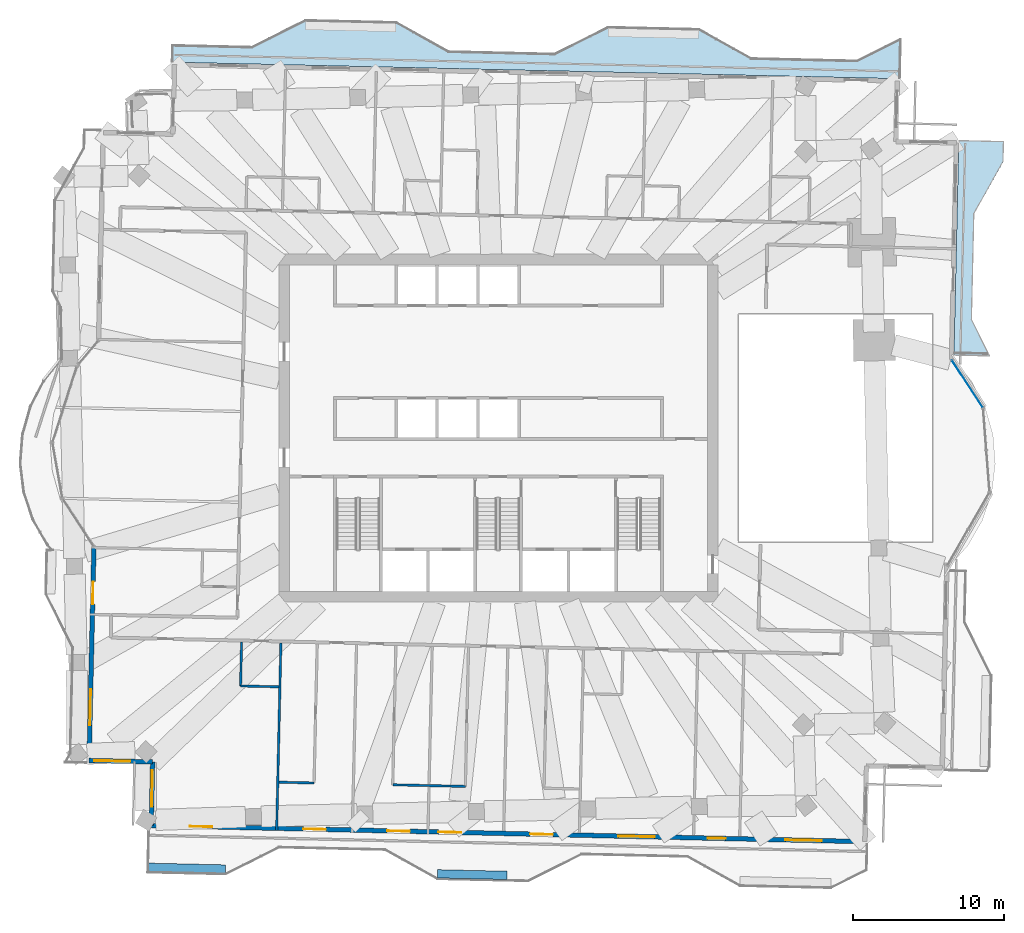
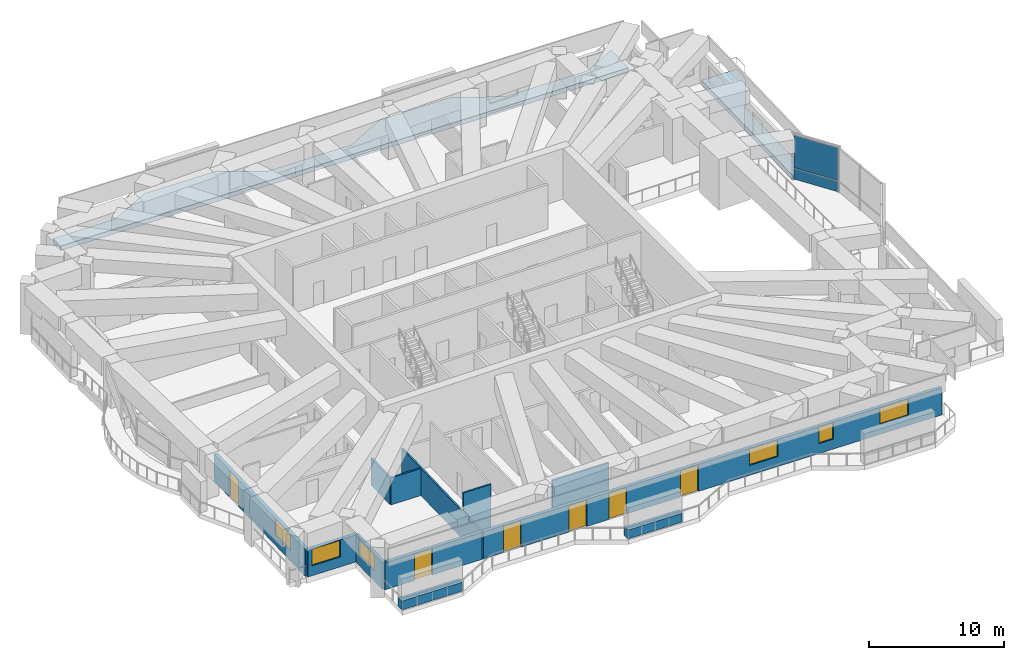
# One storey, part 9 of 20: 11 walls, 6 doors, 6 windows, 2 plates, 2 slabs, 12 openings, 1 element without a shape of its own.
"""IFC4 building model written with IfcOpenShell, lengths in metres."""

from ifc_helpers import new_model, si_unit, direction, frame, frame_2d, origin, origin_2d, place, context, subcontext, project, spatial, polyline, rectangle, outline, extrude, material, layer, layer_set, type_object, element, fill, aggregate, save


model = new_model("IFC4")

# Units and contexts
model_context = context("Model", 3, precision=1e-05, world=origin(), true_north=direction((0.0, 1.0)))
body_context = subcontext(model_context, "Body", "Model", "MODEL_VIEW")
ifc_project = project(units=[si_unit("LENGTHUNIT", "METRE"), si_unit("AREAUNIT", "SQUARE_METRE"), si_unit("VOLUMEUNIT", "CUBIC_METRE"), si_unit("PLANEANGLEUNIT", "RADIAN"), si_unit("MASSUNIT", "GRAM", prefix="KILO")], contexts=[model_context])

# Site, building, storey
site_placement = place(None, origin())
site = spatial("IfcSite", under=ifc_project, at=site_placement, CompositionType="ELEMENT")
building_placement = place(site_placement, origin())
building = spatial("IfcBuilding", under=site, at=building_placement, Name="Mangrove Gate Tower", CompositionType="ELEMENT")
storey_placement = place(building_placement, frame((0.0, 0.0, 252.699951171875)))
storey = spatial("IfcBuildingStorey", under=building, at=storey_placement, Name="L64", CompositionType="ELEMENT", Elevation=252.699951171875)

# Slabs
ifc_material_1 = material(Name="Porcelain tile")
ifc_layer_1 = layer(ifc_material_1, 0.02001953125, Name="Tile finish")
ifc_material_2 = material(Name="Cement sand screed")
ifc_layer_2 = layer(ifc_material_2, 0.0400390625, Name="Screed laid to falls")
ifc_material_3 = material(Name="Bituminous waterproofing membrane")
ifc_layer_3 = layer(ifc_material_3, 0.00390625, Name="Waterproofing")
ifc_material_4 = material(Name="Concrete C40/50", Category="concrete")
ifc_layer_4 = layer(ifc_material_4, 0.340087890625, Name="Balcony structural slab")
ifc_material_5 = material(Name="Limestone", Category="masonry")
ifc_layer_5 = layer(ifc_material_5, 0.01611328125, Name="Soffit lining")
ifc_layer_set_1 = layer_set([ifc_layer_1, ifc_layer_2, ifc_layer_3, ifc_layer_4, ifc_layer_5], Name="Balcony slab 420 C40/50")
slab_type = type_object("IfcSlabType", Name="Balcony slab 420 C40/50", PredefinedType="FLOOR", material=ifc_layer_set_1)
slab_1_placement = place(storey_placement, frame((0.0, 0.0, -0.419921875)))
element("IfcSlab", 1, at=slab_1_placement, inside=storey, type_object=slab_type, Name="BALCONY L64 E1", PredefinedType="FLOOR", context=body_context, shape_type="SweptSolid", body=[
    extrude(outline(polyline([(32.485107421875, 4.77587890625), (31.283935546875, 7.178955078125), (31.443115234375, 14.177001953125), (33.3720703125, 17.634033203125), (33.40087890625, 18.93408203125), (30.412109375, 19.001953125), (30.382080078125, 17.701904296875), (30.302978515625, 14.202880859375), (30.14404296875, 7.205078125), (30.090087890625, 4.8310546875), (32.485107421875, 4.77587890625)])), origin(), (0.0, 0.0, 1.0), 0.419921875),
])
slab_2_placement = place(storey_placement, frame((0.0, 0.0, -0.419921875)))
element("IfcSlab", 2, at=slab_2_placement, inside=storey, type_object=slab_type, Name="BALCONY L64 N0", PredefinedType="FLOOR", context=body_context, shape_type="SweptSolid", body=[
    extrude(outline(polyline([(26.56396484375, 25.72998046875), (23.694091796875, 24.294921875), (16.696044921875, 24.4541015625), (13.239013671875, 26.383056640625), (7.240966796875, 26.51904296875), (3.698974609375, 24.7490234375), (-3.299072265625, 24.907958984375), (-6.756103515625, 26.8369140625), (-12.75390625, 26.972900390625), (-16.294921875, 25.2041015625), (-21.530029296875, 25.322021484375), (-21.555908203125, 24.181884765625), (26.50390625, 23.091064453125), (26.56396484375, 25.72998046875)])), origin(), (0.0, 0.0, 1.0), 0.419921875),
])

# Curtain wall, plates
ifc_material_6 = material(Name="Aluminium and glass curtain wall", Category="aluminium")
curtain_wall_type = type_object("IfcCurtainWallType", Name="Sky-lounge glazing wall", PredefinedType="NOTDEFINED", material=ifc_material_6)
curtain_wall_placement = place(storey_placement, origin())
curtain_wall = element("IfcCurtainWall", 3, at=curtain_wall_placement, inside=storey, type_object=curtain_wall_type, Name="Sky-lounge glazing E1f3", PredefinedType="NOTDEFINED")
ifc_material_7 = material(Name="Laminated low-e glass", Category="glass")
ifc_layer_6 = layer(ifc_material_7, 0.030029296875)
ifc_layer_set_2 = layer_set([ifc_layer_6], Name="Sky-lounge glazing panel 30")
plate_type = type_object("IfcPlateType", Name="Sky-lounge glazing panel 30", PredefinedType="CURTAIN_PANEL", material=ifc_layer_set_2)
plate_1_placement = place(storey_placement, frame((30.975830078125, 2.93115234375, 0.0), z_axis=(0.0, 0.0, 1.0), x_axis=(-0.546235085045, 0.837631919083, 0.0)))
plate_1 = element("IfcPlate", 4, at=plate_1_placement, type_object=plate_type, Name="CWK panel 1.1", PredefinedType="CURTAIN_PANEL", context=body_context, shape_type="SweptSolid", body=[
    extrude(rectangle(XDim=3.696044921875, YDim=0.030029296875, at=origin_2d()), origin(), (0.0, 0.0, 1.0), 0.969970703125),
])
plate_2_placement = place(storey_placement, frame((30.975830078125, 2.93115234375, 1.030029296875), z_axis=(0.0, 0.0, 1.0), x_axis=(-0.546235085045, 0.837631919083, 0.0)))
plate_2 = element("IfcPlate", 5, at=plate_2_placement, type_object=plate_type, Name="CWK panel 1.2", PredefinedType="CURTAIN_PANEL", context=body_context, shape_type="SweptSolid", body=[
    extrude(rectangle(XDim=3.696044921875, YDim=0.030029296875, at=origin_2d()), origin(), (0.0, 0.0, 1.0), 2.9599609375),
])
aggregate(curtain_wall, [plate_1, plate_2])

# Wall, openings, door, window
ifc_layer_7 = layer(ifc_material_5, 0.0400390625, Name="Limestone cladding")
ifc_material_8 = material(Name="Ventilated air gap")
ifc_layer_8 = layer(ifc_material_8, 0.0400390625, Name="Ventilated cavity")
ifc_material_9 = material(Name="Mineral wool insulation")
ifc_layer_9 = layer(ifc_material_9, 0.06005859375, Name="Insulation")
ifc_material_10 = material(Name="Breather membrane")
ifc_layer_10 = layer(ifc_material_10, 0.001953125, Name="Breather membrane")
ifc_material_11 = material(Name="Concrete C20/25 blockwork", Category="masonry")
ifc_layer_11 = layer(ifc_material_11, 0.14990234375, Name="Blockwork backing wall")
ifc_material_12 = material(Name="Gypsum plaster")
ifc_layer_12 = layer(ifc_material_12, 0.008056640625, Name="Internal plaster")
ifc_layer_set_3 = layer_set([ifc_layer_7, ifc_layer_8, ifc_layer_9, ifc_layer_10, ifc_layer_11, ifc_layer_12], Name="External wall 300 limestone cladding")
wall_type_1 = type_object("IfcWallType", Name="External wall 300 limestone cladding", PredefinedType="SOLIDWALL", material=ifc_layer_set_3)
wall_1_placement = place(storey_placement, frame((-26.73291015625, -7.8291015625, 0.0), z_axis=(0.0, 0.0, 1.0), x_axis=(-0.022721405353, -0.999741835545, 0.0)))
wall_1 = element("IfcWall", 6, at=wall_1_placement, inside=storey, type_object=wall_type_1, Name="WALL-L64-W10", PredefinedType="SOLIDWALL", context=body_context, shape_type="SweptSolid", body=[
    extrude(rectangle(XDim=14.129638671875, YDim=0.300048828125, at=frame_2d((7.06494140625, 0.0))), origin(), (0.0, 0.0, 1.0), 2.449951171875),
])
opening_1_placement = place(wall_1_placement, frame((2.301025390625, 0.0, 0.0)))
opening_1 = element("IfcOpeningElement", 7, at=opening_1_placement, cuts=wall_1, Name="Opening BD1", PredefinedType="OPENING", context=body_context, shape_type="SweptSolid", body=[
    extrude(rectangle(XDim=1.5, YDim=2.39990234375, at=frame_2d((0.75, 1.199951171875))), frame((0.0, 0.159912109375, 0.0), z_axis=(0.0, -1.0, 0.0), x_axis=(1.0, 0.0, 0.0)), (0.0, 0.0, 1.0), 0.320068359375),
])
opening_2_placement = place(wall_1_placement, frame((9.4130859375, 0.0, 0.89990234375)))
opening_2 = element("IfcOpeningElement", 8, at=opening_2_placement, cuts=wall_1, Name="Opening W2", PredefinedType="OPENING", context=body_context, shape_type="SweptSolid", body=[
    extrude(rectangle(XDim=2.39990234375, YDim=1.5, at=frame_2d((1.199951171875, 0.75))), frame((0.0, 0.159912109375, 0.0), z_axis=(0.0, -1.0, 0.0), x_axis=(1.0, 0.0, 0.0)), (0.0, 0.0, 1.0), 0.320068359375),
])
ifc_material_13 = material(Name="Aluminium frame with laminated clear glass", Category="aluminium")
door_type = type_object("IfcDoorType", Name="Balcony sliding door 1500x2400", OperationType="SLIDING_TO_LEFT", PredefinedType="DOOR", material=ifc_material_13)
door_1_placement = place(opening_1_placement, origin())
door_1 = element("IfcDoor", 9, at=door_1_placement, inside=storey, type_object=door_type, Name="DOOR-L64-W10-1", OperationType="SLIDING_TO_LEFT", OverallHeight=2.39990234375, OverallWidth=1.5, PredefinedType="DOOR", context=body_context, shape_type="SweptSolid", body=[
    extrude(rectangle(XDim=1.5, YDim=2.39990234375, at=frame_2d((0.75, 1.199951171875))), frame((0.0, 0.02490234375, 0.0), z_axis=(0.0, -1.0, 0.0), x_axis=(1.0, 0.0, 0.0)), (0.0, 0.0, 1.0), 0.050048828125),
])
fill(opening_1, door_1)
ifc_material_14 = material(Name="Aluminium frame with double-glazed low-e glass", Category="aluminium")
window_type_1 = type_object("IfcWindowType", Name="Corner room window 2400x1500", PartitioningType="DOUBLE_PANEL_VERTICAL", PredefinedType="WINDOW", material=ifc_material_14)
window_1_placement = place(opening_2_placement, origin())
window_1 = element("IfcWindow", 10, at=window_1_placement, inside=storey, type_object=window_type_1, Name="WIN-L64-W10-2", OverallHeight=1.5, OverallWidth=2.39990234375, PartitioningType="DOUBLE_PANEL_VERTICAL", PredefinedType="WINDOW", context=body_context, shape_type="SweptSolid", body=[
    extrude(rectangle(XDim=2.39990234375, YDim=1.5, at=frame_2d((1.199951171875, 0.75))), frame((0.0, 0.030029296875, 0.0), z_axis=(0.0, -1.0, 0.0), x_axis=(1.0, 0.0, 0.0)), (0.0, 0.0, 1.0), 0.06005859375),
])
fill(opening_2, window_1)

# Wall, opening, window
wall_2_placement = place(storey_placement, frame((-27.053955078125, -21.955078125, 0.0), z_axis=(0.0, 0.0, 1.0), x_axis=(0.999744320311, -0.022611811187, 0.0)))
wall_2 = element("IfcWall", 11, at=wall_2_placement, inside=storey, type_object=wall_type_1, Name="WALL-L64-S11", PredefinedType="SOLIDWALL", context=body_context, shape_type="SweptSolid", body=[
    extrude(rectangle(XDim=4.199951171875, YDim=0.300048828125, at=frame_2d((2.10009765625, 0.0))), origin(), (0.0, 0.0, 1.0), 2.449951171875),
])
opening_3_placement = place(wall_2_placement, frame((0.3291015625, 0.0, 0.89990234375)))
opening_3 = element("IfcOpeningElement", 12, at=opening_3_placement, cuts=wall_2, Name="Opening W2", PredefinedType="OPENING", context=body_context, shape_type="SweptSolid", body=[
    extrude(rectangle(XDim=2.39990234375, YDim=1.5, at=frame_2d((1.199951171875, 0.75))), frame((0.0, 0.159912109375, 0.0), z_axis=(0.0, -1.0, 0.0), x_axis=(1.0, 0.0, 0.0)), (0.0, 0.0, 1.0), 0.320068359375),
])
window_2_placement = place(opening_3_placement, origin())
window_2 = element("IfcWindow", 13, at=window_2_placement, inside=storey, type_object=window_type_1, Name="WIN-L64-S11-1", OverallHeight=1.5, OverallWidth=2.39990234375, PartitioningType="DOUBLE_PANEL_VERTICAL", PredefinedType="WINDOW", context=body_context, shape_type="SweptSolid", body=[
    extrude(rectangle(XDim=2.39990234375, YDim=1.5, at=frame_2d((1.199951171875, 0.75))), frame((0.0, 0.030029296875, 0.0), z_axis=(0.0, -1.0, 0.0), x_axis=(1.0, 0.0, 0.0)), (0.0, 0.0, 1.0), 0.06005859375),
])
fill(opening_3, window_2)

wall_3_placement = place(storey_placement, frame((-22.85498046875, -22.050048828125, 0.0), z_axis=(0.0, 0.0, 1.0), x_axis=(-0.022611811187, -0.999744320311, 0.0)))
wall_3 = element("IfcWall", 14, at=wall_3_placement, inside=storey, type_object=wall_type_1, Name="WALL-L64-W12", PredefinedType="SOLIDWALL", context=body_context, shape_type="SweptSolid", body=[
    extrude(rectangle(XDim=4.199951171875, YDim=0.300048828125, at=frame_2d((2.10009765625, 0.0))), origin(), (0.0, 0.0, 1.0), 2.449951171875),
])
opening_4_placement = place(wall_3_placement, frame((0.548095703125, 0.0, 0.89990234375)))
opening_4 = element("IfcOpeningElement", 15, at=opening_4_placement, cuts=wall_3, Name="Opening W2", PredefinedType="OPENING", context=body_context, shape_type="SweptSolid", body=[
    extrude(rectangle(XDim=2.39990234375, YDim=1.5, at=frame_2d((1.199951171875, 0.75))), frame((0.0, 0.159912109375, 0.0), z_axis=(0.0, -1.0, 0.0), x_axis=(1.0, 0.0, 0.0)), (0.0, 0.0, 1.0), 0.320068359375),
])
window_3_placement = place(opening_4_placement, origin())
window_3 = element("IfcWindow", 16, at=window_3_placement, inside=storey, type_object=window_type_1, Name="WIN-L64-W12-1", OverallHeight=1.5, OverallWidth=2.39990234375, PartitioningType="DOUBLE_PANEL_VERTICAL", PredefinedType="WINDOW", context=body_context, shape_type="SweptSolid", body=[
    extrude(rectangle(XDim=2.39990234375, YDim=1.5, at=frame_2d((1.199951171875, 0.75))), frame((0.0, 0.030029296875, 0.0), z_axis=(0.0, -1.0, 0.0), x_axis=(1.0, 0.0, 0.0)), (0.0, 0.0, 1.0), 0.06005859375),
])
fill(opening_4, window_3)

# Wall, openings, doors, windows
wall_4_placement = place(storey_placement, frame((-22.949951171875, -26.2490234375, 0.0), z_axis=(0.0, 0.0, 1.0), x_axis=(0.999742196137, -0.022705533743, 0.0)))
wall_4 = element("IfcWall", 17, at=wall_4_placement, inside=storey, type_object=wall_type_1, Name="WALL-L64-S13", PredefinedType="SOLIDWALL", context=body_context, shape_type="SweptSolid", body=[
    extrude(rectangle(XDim=47.171142578125, YDim=0.300048828125, at=frame_2d((23.58544921875, 0.0))), origin(), (0.0, 0.0, 1.0), 2.449951171875),
])
opening_5_placement = place(wall_4_placement, frame((2.533935546875, 0.0, 0.0)))
opening_5 = element("IfcOpeningElement", 18, at=opening_5_placement, cuts=wall_4, Name="Opening BD1", PredefinedType="OPENING", context=body_context, shape_type="SweptSolid", body=[
    extrude(rectangle(XDim=1.5, YDim=2.39990234375, at=frame_2d((0.75, 1.199951171875))), frame((0.0, 0.159912109375, 0.0), z_axis=(0.0, -1.0, 0.0), x_axis=(1.0, 0.0, 0.0)), (0.0, 0.0, 1.0), 0.320068359375),
])
opening_6_placement = place(wall_4_placement, frame((10.050048828125, 0.0, 0.0)))
opening_6 = element("IfcOpeningElement", 19, at=opening_6_placement, cuts=wall_4, Name="Opening BD1", PredefinedType="OPENING", context=body_context, shape_type="SweptSolid", body=[
    extrude(rectangle(XDim=1.5, YDim=2.39990234375, at=frame_2d((0.75, 1.199951171875))), frame((0.0, 0.159912109375, 0.0), z_axis=(0.0, -1.0, 0.0), x_axis=(1.0, 0.0, 0.0)), (0.0, 0.0, 1.0), 0.320068359375),
])
opening_7_placement = place(wall_4_placement, frame((15.59912109375, 0.0, 0.0)))
opening_7 = element("IfcOpeningElement", 20, at=opening_7_placement, cuts=wall_4, Name="Opening BD1", PredefinedType="OPENING", context=body_context, shape_type="SweptSolid", body=[
    extrude(rectangle(XDim=1.5, YDim=2.39990234375, at=frame_2d((0.75, 1.199951171875))), frame((0.0, 0.159912109375, 0.0), z_axis=(0.0, -1.0, 0.0), x_axis=(1.0, 0.0, 0.0)), (0.0, 0.0, 1.0), 0.320068359375),
])
opening_8_placement = place(wall_4_placement, frame((18.98095703125, 0.0, 0.0)))
opening_8 = element("IfcOpeningElement", 21, at=opening_8_placement, cuts=wall_4, Name="Opening BD1", PredefinedType="OPENING", context=body_context, shape_type="SweptSolid", body=[
    extrude(rectangle(XDim=1.5, YDim=2.39990234375, at=frame_2d((0.75, 1.199951171875))), frame((0.0, 0.159912109375, 0.0), z_axis=(0.0, -1.0, 0.0), x_axis=(1.0, 0.0, 0.0)), (0.0, 0.0, 1.0), 0.320068359375),
])
opening_9_placement = place(wall_4_placement, frame((25.050048828125, 0.0, 0.0)))
opening_9 = element("IfcOpeningElement", 22, at=opening_9_placement, cuts=wall_4, Name="Opening BD1", PredefinedType="OPENING", context=body_context, shape_type="SweptSolid", body=[
    extrude(rectangle(XDim=1.5, YDim=2.39990234375, at=frame_2d((0.75, 1.199951171875))), frame((0.0, 0.159912109375, 0.0), z_axis=(0.0, -1.0, 0.0), x_axis=(1.0, 0.0, 0.0)), (0.0, 0.0, 1.0), 0.320068359375),
])
opening_10_placement = place(wall_4_placement, frame((30.875, 0.0, 0.89990234375)))
opening_10 = element("IfcOpeningElement", 23, at=opening_10_placement, cuts=wall_4, Name="Opening W2", PredefinedType="OPENING", context=body_context, shape_type="SweptSolid", body=[
    extrude(rectangle(XDim=2.39990234375, YDim=1.5, at=frame_2d((1.199951171875, 0.75))), frame((0.0, 0.159912109375, 0.0), z_axis=(0.0, -1.0, 0.0), x_axis=(1.0, 0.0, 0.0)), (0.0, 0.0, 1.0), 0.320068359375),
])
opening_11_placement = place(wall_4_placement, frame((36.77490234375, 0.0, 0.89990234375)))
opening_11 = element("IfcOpeningElement", 24, at=opening_11_placement, cuts=wall_4, Name="Opening W1", PredefinedType="OPENING", context=body_context, shape_type="SweptSolid", body=[
    extrude(rectangle(XDim=1.199951171875, YDim=1.5, at=frame_2d((0.60009765625, 0.75))), frame((0.0, 0.159912109375, 0.0), z_axis=(0.0, -1.0, 0.0), x_axis=(1.0, 0.0, 0.0)), (0.0, 0.0, 1.0), 0.320068359375),
])
opening_12_placement = place(wall_4_placement, frame((41.910888671875, 0.0, 0.89990234375)))
opening_12 = element("IfcOpeningElement", 25, at=opening_12_placement, cuts=wall_4, Name="Opening W2", PredefinedType="OPENING", context=body_context, shape_type="SweptSolid", body=[
    extrude(rectangle(XDim=2.39990234375, YDim=1.5, at=frame_2d((1.199951171875, 0.75))), frame((0.0, 0.159912109375, 0.0), z_axis=(0.0, -1.0, 0.0), x_axis=(1.0, 0.0, 0.0)), (0.0, 0.0, 1.0), 0.320068359375),
])
door_2_placement = place(opening_5_placement, origin())
door_2 = element("IfcDoor", 26, at=door_2_placement, inside=storey, type_object=door_type, Name="DOOR-L64-S13-1", OperationType="SLIDING_TO_LEFT", OverallHeight=2.39990234375, OverallWidth=1.5, PredefinedType="DOOR", context=body_context, shape_type="SweptSolid", body=[
    extrude(rectangle(XDim=1.5, YDim=2.39990234375, at=frame_2d((0.75, 1.199951171875))), frame((0.0, 0.02490234375, 0.0), z_axis=(0.0, -1.0, 0.0), x_axis=(1.0, 0.0, 0.0)), (0.0, 0.0, 1.0), 0.050048828125),
])
fill(opening_5, door_2)
door_3_placement = place(opening_6_placement, origin())
door_3 = element("IfcDoor", 27, at=door_3_placement, inside=storey, type_object=door_type, Name="DOOR-L64-S13-2", OperationType="SLIDING_TO_LEFT", OverallHeight=2.39990234375, OverallWidth=1.5, PredefinedType="DOOR", context=body_context, shape_type="SweptSolid", body=[
    extrude(rectangle(XDim=1.5, YDim=2.39990234375, at=frame_2d((0.75, 1.199951171875))), frame((0.0, 0.02490234375, 0.0), z_axis=(0.0, -1.0, 0.0), x_axis=(1.0, 0.0, 0.0)), (0.0, 0.0, 1.0), 0.050048828125),
])
fill(opening_6, door_3)
door_4_placement = place(opening_7_placement, origin())
door_4 = element("IfcDoor", 28, at=door_4_placement, inside=storey, type_object=door_type, Name="DOOR-L64-S13-3", OperationType="SLIDING_TO_LEFT", OverallHeight=2.39990234375, OverallWidth=1.5, PredefinedType="DOOR", context=body_context, shape_type="SweptSolid", body=[
    extrude(rectangle(XDim=1.5, YDim=2.39990234375, at=frame_2d((0.75, 1.199951171875))), frame((0.0, 0.02490234375, 0.0), z_axis=(0.0, -1.0, 0.0), x_axis=(1.0, 0.0, 0.0)), (0.0, 0.0, 1.0), 0.050048828125),
])
fill(opening_7, door_4)
door_5_placement = place(opening_8_placement, origin())
door_5 = element("IfcDoor", 29, at=door_5_placement, inside=storey, type_object=door_type, Name="DOOR-L64-S13-4", OperationType="SLIDING_TO_LEFT", OverallHeight=2.39990234375, OverallWidth=1.5, PredefinedType="DOOR", context=body_context, shape_type="SweptSolid", body=[
    extrude(rectangle(XDim=1.5, YDim=2.39990234375, at=frame_2d((0.75, 1.199951171875))), frame((0.0, 0.02490234375, 0.0), z_axis=(0.0, -1.0, 0.0), x_axis=(1.0, 0.0, 0.0)), (0.0, 0.0, 1.0), 0.050048828125),
])
fill(opening_8, door_5)
door_6_placement = place(opening_9_placement, origin())
door_6 = element("IfcDoor", 30, at=door_6_placement, inside=storey, type_object=door_type, Name="DOOR-L64-S13-5", OperationType="SLIDING_TO_LEFT", OverallHeight=2.39990234375, OverallWidth=1.5, PredefinedType="DOOR", context=body_context, shape_type="SweptSolid", body=[
    extrude(rectangle(XDim=1.5, YDim=2.39990234375, at=frame_2d((0.75, 1.199951171875))), frame((0.0, 0.02490234375, 0.0), z_axis=(0.0, -1.0, 0.0), x_axis=(1.0, 0.0, 0.0)), (0.0, 0.0, 1.0), 0.050048828125),
])
fill(opening_9, door_6)
window_4_placement = place(opening_10_placement, origin())
window_4 = element("IfcWindow", 31, at=window_4_placement, inside=storey, type_object=window_type_1, Name="WIN-L64-S13-6", OverallHeight=1.5, OverallWidth=2.39990234375, PartitioningType="DOUBLE_PANEL_VERTICAL", PredefinedType="WINDOW", context=body_context, shape_type="SweptSolid", body=[
    extrude(rectangle(XDim=2.39990234375, YDim=1.5, at=frame_2d((1.199951171875, 0.75))), frame((0.0, 0.030029296875, 0.0), z_axis=(0.0, -1.0, 0.0), x_axis=(1.0, 0.0, 0.0)), (0.0, 0.0, 1.0), 0.06005859375),
])
fill(opening_10, window_4)
window_5_placement = place(opening_12_placement, origin())
window_5 = element("IfcWindow", 32, at=window_5_placement, inside=storey, type_object=window_type_1, Name="WIN-L64-S13-8", OverallHeight=1.5, OverallWidth=2.39990234375, PartitioningType="DOUBLE_PANEL_VERTICAL", PredefinedType="WINDOW", context=body_context, shape_type="SweptSolid", body=[
    extrude(rectangle(XDim=2.39990234375, YDim=1.5, at=frame_2d((1.199951171875, 0.75))), frame((0.0, 0.030029296875, 0.0), z_axis=(0.0, -1.0, 0.0), x_axis=(1.0, 0.0, 0.0)), (0.0, 0.0, 1.0), 0.06005859375),
])
fill(opening_12, window_5)
ifc_material_15 = material(Name="Aluminium frame with double-glazed low-e glass", Category="aluminium")
window_type_2 = type_object("IfcWindowType", Name="Side lite 1200x1500", PartitioningType="SINGLE_PANEL", PredefinedType="WINDOW", material=ifc_material_15)
window_6_placement = place(opening_11_placement, origin())
window_6 = element("IfcWindow", 33, at=window_6_placement, inside=storey, type_object=window_type_2, Name="WIN-L64-S13-7", OverallHeight=1.5, OverallWidth=1.199951171875, PartitioningType="SINGLE_PANEL", PredefinedType="WINDOW", context=body_context, shape_type="SweptSolid", body=[
    extrude(rectangle(XDim=1.199951171875, YDim=1.5, at=frame_2d((0.60009765625, 0.75))), frame((0.0, 0.030029296875, 0.0), z_axis=(0.0, -1.0, 0.0), x_axis=(1.0, 0.0, 0.0)), (0.0, 0.0, 1.0), 0.06005859375),
])
fill(opening_11, window_6)

# Walls
ifc_material_16 = material(Name="Gypsum board on steel stud, EI 60", Category="steel")
ifc_layer_13 = layer(ifc_material_16, 0.14990234375)
ifc_layer_set_4 = layer_set([ifc_layer_13], Name="Party wall 150 EI 60")
wall_type_2 = type_object("IfcWallType", Name="Party wall 150 EI 60", PredefinedType="PARTITIONING", material=ifc_layer_set_4)
wall_5_placement = place(storey_placement, frame((-14.659912109375, -26.587890625, 0.0), z_axis=(0.0, 0.0, 1.0), x_axis=(0.022661475803, 0.999743195783, 0.0)))
element("IfcWall", 34, at=wall_5_placement, inside=storey, type_object=wall_type_2, Name="WALL-L64-001", PredefinedType="PARTITIONING", context=body_context, shape_type="SweptSolid", body=[
    extrude(rectangle(XDim=12.400146484375, YDim=0.14990234375, at=frame_2d((6.2001953125, 0.0))), origin(), (0.0, 0.0, 1.0), 2.449951171875),
])
wall_6_placement = place(storey_placement, frame((-14.508056640625, -23.389892578125, 0.0), z_axis=(0.0, 0.0, 1.0), x_axis=(0.999737862264, -0.022895561926, 0.0)))
element("IfcWall", 35, at=wall_6_placement, inside=storey, type_object=wall_type_2, Name="WALL-L64-008", PredefinedType="PARTITIONING", context=body_context, shape_type="SweptSolid", body=[
    extrude(rectangle(XDim=2.324462890625, YDim=0.14990234375, at=frame_2d((1.162109375, 0.0))), origin(), (0.0, 0.0, 1.0), 4.050048828125),
])
wall_7_placement = place(storey_placement, frame((-6.985107421875, -23.56103515625, 0.0), z_axis=(0.0, 0.0, 1.0), x_axis=(0.999742596585, -0.02268789488, 0.0)))
element("IfcWall", 36, at=wall_7_placement, inside=storey, type_object=wall_type_2, Name="WALL-L64-011", PredefinedType="PARTITIONING", context=body_context, shape_type="SweptSolid", body=[
    extrude(rectangle(XDim=4.79931640625, YDim=0.14990234375, at=frame_2d((2.399658203125, 0.0))), origin(), (0.0, 0.0, 1.0), 2.650146484375),
])
wall_8_placement = place(storey_placement, frame((-17.0439453125, -17.031005859375, 0.0), z_axis=(0.0, 0.0, 1.0), x_axis=(0.022732880677, 0.999741574676, 0.0)))
element("IfcWall", 37, at=wall_8_placement, inside=storey, type_object=wall_type_2, Name="WALL-L64-015", PredefinedType="PARTITIONING", context=body_context, shape_type="SweptSolid", body=[
    extrude(rectangle(XDim=2.899658203125, YDim=0.14990234375, at=frame_2d((1.44970703125, 0.0))), origin(), (0.0, 0.0, 1.0), 2.449951171875),
])
wall_9_placement = place(storey_placement, frame((-17.0400390625, -17.031005859375, 0.0), z_axis=(0.0, 0.0, 1.0), x_axis=(0.999746356616, -0.022521599255, 0.0)))
element("IfcWall", 38, at=wall_9_placement, inside=storey, type_object=wall_type_2, Name="WALL-L64-016", PredefinedType="PARTITIONING", context=body_context, shape_type="SweptSolid", body=[
    extrude(rectangle(XDim=2.52587890625, YDim=0.14990234375, at=frame_2d((1.262939453125, 0.0))), origin(), (0.0, 0.0, 1.0), 2.449951171875),
])
ifc_material_17 = material(Name="Concrete C32/40", Category="concrete")
ifc_layer_14 = layer(ifc_material_17, 0.199951171875, Name="Planter trough wall")
ifc_layer_15 = layer(ifc_material_3, 0.0048828125, Name="Waterproofing")
ifc_material_18 = material(Name="Drainage board and gravel")
ifc_layer_16 = layer(ifc_material_18, 0.044921875, Name="Drainage layer")
ifc_material_19 = material(Name="Planting soil")
ifc_layer_17 = layer(ifc_material_19, 0.300048828125, Name="Growing medium")
ifc_layer_set_5 = layer_set([ifc_layer_14, ifc_layer_15, ifc_layer_16, ifc_layer_17], Name="Planter wall 550 C32/40")
wall_type_3 = type_object("IfcWallType", Name="Planter wall 550 C32/40", PredefinedType="USERDEFINED", material=ifc_layer_set_5)
wall_10_placement = place(storey_placement, frame((-23.1630859375, -29.010009765625, 0.0), z_axis=(0.0, 0.0, 1.0), x_axis=(0.999740680705, -0.022772161589, 0.0)))
element("IfcWall", 39, at=wall_10_placement, inside=storey, type_object=wall_type_3, Name="PLANTER L64 S0.1", ObjectType="PLANTER", PredefinedType="USERDEFINED", context=body_context, shape_type="SweptSolid", body=[
    extrude(rectangle(XDim=5.13525390625, YDim=0.550048828125, at=frame_2d((2.567626953125, 0.0))), origin(), (0.0, 0.0, 1.0), 0.800048828125),
])
wall_11_placement = place(storey_placement, frame((-4.031982421875, -29.444091796875, 0.0), z_axis=(0.0, 0.0, 1.0), x_axis=(0.999739556364, -0.022821468877, 0.0)))
element("IfcWall", 40, at=wall_11_placement, inside=storey, type_object=wall_type_3, Name="PLANTER L64 S0.2", ObjectType="PLANTER", PredefinedType="USERDEFINED", context=body_context, shape_type="SweptSolid", body=[
    extrude(rectangle(XDim=4.60009765625, YDim=0.550048828125, at=frame_2d((2.300048828125, 0.0))), origin(), (0.0, 0.0, 1.0), 0.800048828125),
])

save(model, "model.ifc")
